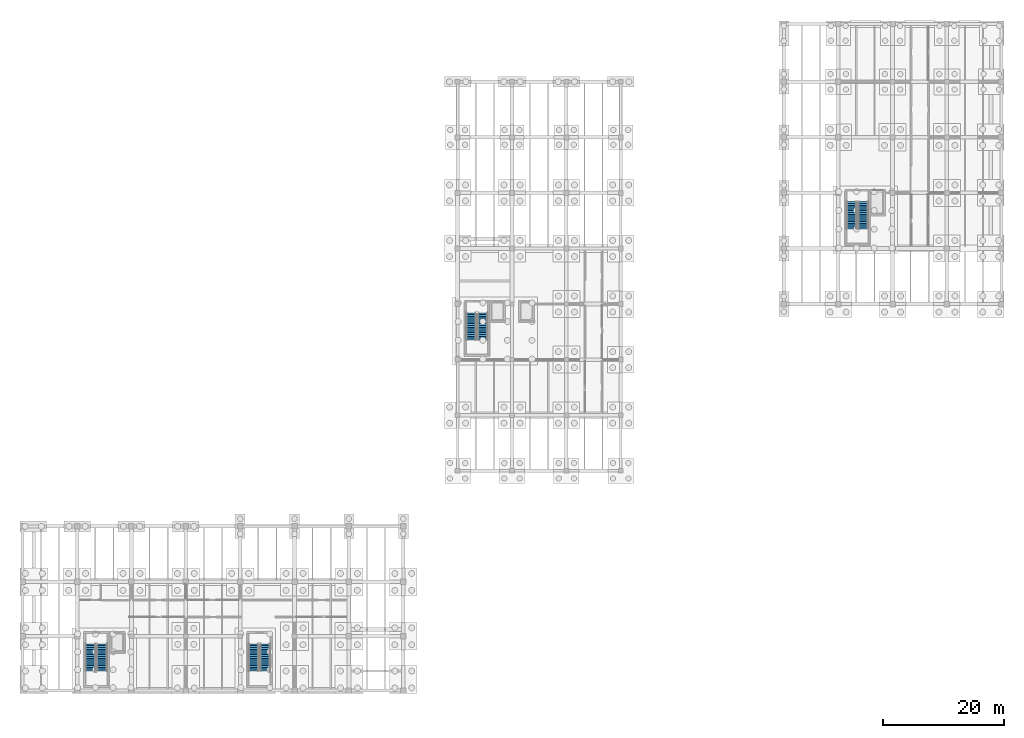
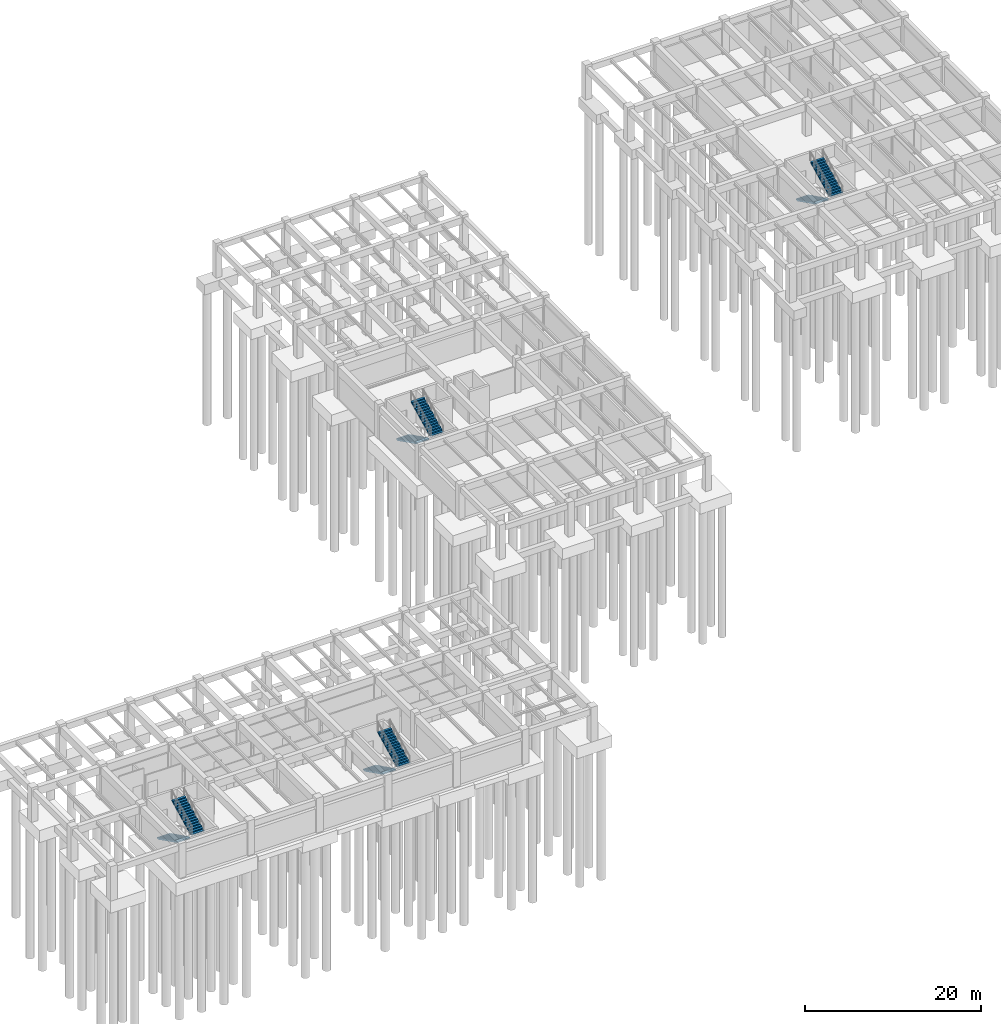
# One storey, part 12 of 16: 8 stair flights, 4 elements without a shape of their own.
"""IFC4 building model written with IfcOpenShell, lengths in metres."""

from ifc_helpers import new_model, si_unit, direction, frame, origin, place, context, subcontext, project, spatial, polyline, outline, extrude, material, type_object, element, aggregate, save


model = new_model("IFC4")

# Units and contexts
model_context = context("Model", 3, precision=1e-05, world=origin(), true_north=direction((0.0, 1.0)))
body_context = subcontext(model_context, "Body", "Model", "MODEL_VIEW")
ifc_project = project(units=[si_unit("LENGTHUNIT", "METRE"), si_unit("AREAUNIT", "SQUARE_METRE"), si_unit("VOLUMEUNIT", "CUBIC_METRE"), si_unit("PLANEANGLEUNIT", "RADIAN"), si_unit("MASSUNIT", "GRAM", prefix="KILO")], contexts=[model_context])

# Site, building, storey
site_placement = place(None, origin())
site = spatial("IfcSite", under=ifc_project, at=site_placement, CompositionType="ELEMENT")
building_placement = place(site_placement, origin())
building = spatial("IfcBuilding", under=site, at=building_placement, Name="Bozkorgan Art Gallery", CompositionType="ELEMENT")
storey_placement = place(building_placement, frame((0.0, 0.0, -4.800048828125)))
storey = spatial("IfcBuildingStorey", under=building, at=storey_placement, Name="B1", CompositionType="ELEMENT", Elevation=-4.800048828125)

# Stair, stair flights
ifc_material = material(Name="Concrete C35/45", Category="concrete")
stair_type_1 = type_object("IfcStairType", Name="STAIR-CORE1", PredefinedType="HALF_TURN_STAIR", material=ifc_material)
stair_1_placement = place(storey_placement, origin())
stair_1 = element("IfcStair", 1, at=stair_1_placement, inside=storey, type_object=stair_type_1, Name="B1 ST1 Core Stair", PredefinedType="HALF_TURN_STAIR")
stair_flight_type_1 = type_object("IfcStairFlightType", Name="SFLT-CORE1", PredefinedType="STRAIGHT", material=ifc_material)
stair_flight_1_placement = place(storey_placement, frame((13.25, 9.75, 0.0), z_axis=(0.0, 0.0, 1.0), x_axis=(0.0, -1.0, 0.0)))
stair_flight_1 = element("IfcStairFlight", 2, at=stair_flight_1_placement, type_object=stair_flight_type_1, Name="ST1 flight 1", NumberOfRisers=16, NumberOfTreads=15, PredefinedType="STRAIGHT", RiserHeight=0.15, TreadLength=0.3, context=body_context, shape_type="SweptSolid", body=[
    extrude(outline(polyline([(0.0, 0.0), (0.0, 0.14990234375), (0.300048828125, 0.14990234375), (0.300048828125, 0.300048828125), (0.60009765625, 0.300048828125), (0.60009765625, 0.449951171875), (0.89990234375, 0.449951171875), (0.89990234375, 0.60009765625), (1.199951171875, 0.60009765625), (1.199951171875, 0.75), (1.5, 0.75), (1.5, 0.89990234375), (1.800048828125, 0.89990234375), (1.800048828125, 1.050048828125), (2.10009765625, 1.050048828125), (2.10009765625, 1.199951171875), (2.39990234375, 1.199951171875), (2.39990234375, 1.35009765625), (2.699951171875, 1.35009765625), (2.699951171875, 1.5), (3.0, 1.5), (3.0, 1.64990234375), (3.300048828125, 1.64990234375), (3.300048828125, 1.800048828125), (3.60009765625, 1.800048828125), (3.60009765625, 1.949951171875), (3.89990234375, 1.949951171875), (3.89990234375, 2.10009765625), (4.199951171875, 2.10009765625), (4.199951171875, 2.25), (4.5, 2.25), (4.5, 2.39990234375), (4.5, 2.08251953125), (0.335205078125, 0.0), (0.0, 0.0)])), frame((0.0, 0.85009765625, 0.0), z_axis=(0.0, -1.0, 0.0), x_axis=(1.0, 0.0, 0.0)), (0.0, 0.0, 1.0), 1.699951171875),
])
stair_flight_2_placement = place(storey_placement, frame((15.14990234375, 5.25, 2.400146484375), z_axis=(0.0, 0.0, 1.0), x_axis=(0.0, 1.0, 0.0)))
stair_flight_2 = element("IfcStairFlight", 3, at=stair_flight_2_placement, type_object=stair_flight_type_1, Name="ST1 flight 2", NumberOfRisers=16, NumberOfTreads=15, PredefinedType="STRAIGHT", RiserHeight=0.15, TreadLength=0.3, context=body_context, shape_type="SweptSolid", body=[
    extrude(outline(polyline([(0.0, 0.0), (0.0, 0.14990234375), (0.300048828125, 0.14990234375), (0.300048828125, 0.300048828125), (0.60009765625, 0.300048828125), (0.60009765625, 0.449951171875), (0.89990234375, 0.449951171875), (0.89990234375, 0.60009765625), (1.199951171875, 0.60009765625), (1.199951171875, 0.75), (1.5, 0.75), (1.5, 0.89990234375), (1.800048828125, 0.89990234375), (1.800048828125, 1.050048828125), (2.10009765625, 1.050048828125), (2.10009765625, 1.199951171875), (2.39990234375, 1.199951171875), (2.39990234375, 1.35009765625), (2.699951171875, 1.35009765625), (2.699951171875, 1.5), (3.0, 1.5), (3.0, 1.64990234375), (3.300048828125, 1.64990234375), (3.300048828125, 1.800048828125), (3.60009765625, 1.800048828125), (3.60009765625, 1.949951171875), (3.89990234375, 1.949951171875), (3.89990234375, 2.10009765625), (4.199951171875, 2.10009765625), (4.199951171875, 2.25), (4.5, 2.25), (4.5, 2.39990234375), (4.5, 2.08251953125), (0.335205078125, 0.0), (0.0, 0.0)])), frame((0.0, 0.85009765625, 0.0), z_axis=(0.0, -1.0, 0.0), x_axis=(1.0, 0.0, 0.0)), (0.0, 0.0, 1.0), 1.699951171875),
])
aggregate(stair_1, [stair_flight_1, stair_flight_2])

stair_type_2 = type_object("IfcStairType", Name="STAIR-CORE2", PredefinedType="HALF_TURN_STAIR", material=ifc_material)
stair_2_placement = place(storey_placement, origin())
stair_2 = element("IfcStair", 4, at=stair_2_placement, inside=storey, type_object=stair_type_2, Name="B1 ST2 Core Stair", PredefinedType="HALF_TURN_STAIR")
stair_flight_type_2 = type_object("IfcStairFlightType", Name="SFLT-CORE2", PredefinedType="STRAIGHT", material=ifc_material)
stair_flight_3_placement = place(storey_placement, frame((76.25, 64.550048828125, 0.0), z_axis=(0.0, 0.0, 1.0), x_axis=(0.0, -1.0, 0.0)))
stair_flight_3 = element("IfcStairFlight", 5, at=stair_flight_3_placement, type_object=stair_flight_type_2, Name="ST2 flight 1", NumberOfRisers=16, NumberOfTreads=15, PredefinedType="STRAIGHT", RiserHeight=0.15, TreadLength=0.3, context=body_context, shape_type="SweptSolid", body=[
    extrude(outline(polyline([(0.0, 0.0), (0.0, 0.14990234375), (0.300048828125, 0.14990234375), (0.300048828125, 0.300048828125), (0.60009765625, 0.300048828125), (0.60009765625, 0.449951171875), (0.89990234375, 0.449951171875), (0.89990234375, 0.60009765625), (1.199951171875, 0.60009765625), (1.199951171875, 0.75), (1.5, 0.75), (1.5, 0.89990234375), (1.800048828125, 0.89990234375), (1.800048828125, 1.050048828125), (2.10009765625, 1.050048828125), (2.10009765625, 1.199951171875), (2.39990234375, 1.199951171875), (2.39990234375, 1.35009765625), (2.699951171875, 1.35009765625), (2.699951171875, 1.5), (3.0, 1.5), (3.0, 1.64990234375), (3.300048828125, 1.64990234375), (3.300048828125, 1.800048828125), (3.60009765625, 1.800048828125), (3.60009765625, 1.949951171875), (3.89990234375, 1.949951171875), (3.89990234375, 2.10009765625), (4.199951171875, 2.10009765625), (4.199951171875, 2.25), (4.5, 2.25), (4.5, 2.39990234375), (4.5, 2.08251953125), (0.335205078125, 0.0), (0.0, 0.0)])), frame((0.0, 0.85009765625, 0.0), z_axis=(0.0, -1.0, 0.0), x_axis=(1.0, 0.0, 0.0)), (0.0, 0.0, 1.0), 1.699951171875),
])
stair_flight_4_placement = place(storey_placement, frame((78.14990234375, 60.050048828125, 2.400146484375), z_axis=(0.0, 0.0, 1.0), x_axis=(0.0, 1.0, 0.0)))
stair_flight_4 = element("IfcStairFlight", 6, at=stair_flight_4_placement, type_object=stair_flight_type_2, Name="ST2 flight 2", NumberOfRisers=16, NumberOfTreads=15, PredefinedType="STRAIGHT", RiserHeight=0.15, TreadLength=0.3, context=body_context, shape_type="SweptSolid", body=[
    extrude(outline(polyline([(0.0, 0.0), (0.0, 0.14990234375), (0.300048828125, 0.14990234375), (0.300048828125, 0.300048828125), (0.60009765625, 0.300048828125), (0.60009765625, 0.449951171875), (0.89990234375, 0.449951171875), (0.89990234375, 0.60009765625), (1.199951171875, 0.60009765625), (1.199951171875, 0.75), (1.5, 0.75), (1.5, 0.89990234375), (1.800048828125, 0.89990234375), (1.800048828125, 1.050048828125), (2.10009765625, 1.050048828125), (2.10009765625, 1.199951171875), (2.39990234375, 1.199951171875), (2.39990234375, 1.35009765625), (2.699951171875, 1.35009765625), (2.699951171875, 1.5), (3.0, 1.5), (3.0, 1.64990234375), (3.300048828125, 1.64990234375), (3.300048828125, 1.800048828125), (3.60009765625, 1.800048828125), (3.60009765625, 1.949951171875), (3.89990234375, 1.949951171875), (3.89990234375, 2.10009765625), (4.199951171875, 2.10009765625), (4.199951171875, 2.25), (4.5, 2.25), (4.5, 2.39990234375), (4.5, 2.08251953125), (0.335205078125, 0.0), (0.0, 0.0)])), frame((0.0, 0.85009765625, 0.0), z_axis=(0.0, -1.0, 0.0), x_axis=(1.0, 0.0, 0.0)), (0.0, 0.0, 1.0), 1.699951171875),
])
aggregate(stair_2, [stair_flight_3, stair_flight_4])

stair_type_3 = type_object("IfcStairType", Name="STAIR-CORE3", PredefinedType="HALF_TURN_STAIR", material=ifc_material)
stair_3_placement = place(storey_placement, origin())
stair_3 = element("IfcStair", 7, at=stair_3_placement, inside=storey, type_object=stair_type_3, Name="B1 ST3 Core Stair", PredefinedType="HALF_TURN_STAIR")
stair_flight_type_3 = type_object("IfcStairFlightType", Name="SFLT-CORE3", PredefinedType="STRAIGHT", material=ifc_material)
stair_flight_5_placement = place(storey_placement, frame((139.25, 82.949951171875, 0.0), z_axis=(0.0, 0.0, 1.0), x_axis=(0.0, -1.0, 0.0)))
stair_flight_5 = element("IfcStairFlight", 8, at=stair_flight_5_placement, type_object=stair_flight_type_3, Name="ST3 flight 1", NumberOfRisers=16, NumberOfTreads=15, PredefinedType="STRAIGHT", RiserHeight=0.15, TreadLength=0.3, context=body_context, shape_type="SweptSolid", body=[
    extrude(outline(polyline([(0.0, 0.0), (0.0, 0.14990234375), (0.300048828125, 0.14990234375), (0.300048828125, 0.300048828125), (0.60009765625, 0.300048828125), (0.60009765625, 0.449951171875), (0.89990234375, 0.449951171875), (0.89990234375, 0.60009765625), (1.199951171875, 0.60009765625), (1.199951171875, 0.75), (1.5, 0.75), (1.5, 0.89990234375), (1.800048828125, 0.89990234375), (1.800048828125, 1.050048828125), (2.10009765625, 1.050048828125), (2.10009765625, 1.199951171875), (2.39990234375, 1.199951171875), (2.39990234375, 1.35009765625), (2.699951171875, 1.35009765625), (2.699951171875, 1.5), (3.0, 1.5), (3.0, 1.64990234375), (3.300048828125, 1.64990234375), (3.300048828125, 1.800048828125), (3.60009765625, 1.800048828125), (3.60009765625, 1.949951171875), (3.89990234375, 1.949951171875), (3.89990234375, 2.10009765625), (4.199951171875, 2.10009765625), (4.199951171875, 2.25), (4.5, 2.25), (4.5, 2.39990234375), (4.5, 2.08251953125), (0.335205078125, 0.0), (0.0, 0.0)])), frame((0.0, 0.85009765625, 0.0), z_axis=(0.0, -1.0, 0.0), x_axis=(1.0, 0.0, 0.0)), (0.0, 0.0, 1.0), 1.699951171875),
])
stair_flight_6_placement = place(storey_placement, frame((141.14990234375, 78.449951171875, 2.400146484375), z_axis=(0.0, 0.0, 1.0), x_axis=(0.0, 1.0, 0.0)))
stair_flight_6 = element("IfcStairFlight", 9, at=stair_flight_6_placement, type_object=stair_flight_type_3, Name="ST3 flight 2", NumberOfRisers=16, NumberOfTreads=15, PredefinedType="STRAIGHT", RiserHeight=0.15, TreadLength=0.3, context=body_context, shape_type="SweptSolid", body=[
    extrude(outline(polyline([(0.0, 0.0), (0.0, 0.14990234375), (0.300048828125, 0.14990234375), (0.300048828125, 0.300048828125), (0.60009765625, 0.300048828125), (0.60009765625, 0.449951171875), (0.89990234375, 0.449951171875), (0.89990234375, 0.60009765625), (1.199951171875, 0.60009765625), (1.199951171875, 0.75), (1.5, 0.75), (1.5, 0.89990234375), (1.800048828125, 0.89990234375), (1.800048828125, 1.050048828125), (2.10009765625, 1.050048828125), (2.10009765625, 1.199951171875), (2.39990234375, 1.199951171875), (2.39990234375, 1.35009765625), (2.699951171875, 1.35009765625), (2.699951171875, 1.5), (3.0, 1.5), (3.0, 1.64990234375), (3.300048828125, 1.64990234375), (3.300048828125, 1.800048828125), (3.60009765625, 1.800048828125), (3.60009765625, 1.949951171875), (3.89990234375, 1.949951171875), (3.89990234375, 2.10009765625), (4.199951171875, 2.10009765625), (4.199951171875, 2.25), (4.5, 2.25), (4.5, 2.39990234375), (4.5, 2.08251953125), (0.335205078125, 0.0), (0.0, 0.0)])), frame((0.0, 0.85009765625, 0.0), z_axis=(0.0, -1.0, 0.0), x_axis=(1.0, 0.0, 0.0)), (0.0, 0.0, 1.0), 1.699951171875),
])
aggregate(stair_3, [stair_flight_5, stair_flight_6])

stair_type_4 = type_object("IfcStairType", Name="STAIR-CORE7", PredefinedType="HALF_TURN_STAIR", material=ifc_material)
stair_4_placement = place(storey_placement, origin())
stair_4 = element("IfcStair", 10, at=stair_4_placement, inside=storey, type_object=stair_type_4, Name="B1 ST12 Core Stair", PredefinedType="HALF_TURN_STAIR")
stair_flight_type_4 = type_object("IfcStairFlightType", Name="SFLT-CORE7", PredefinedType="STRAIGHT", material=ifc_material)
stair_flight_7_placement = place(storey_placement, frame((40.25, 9.75, 0.0), z_axis=(0.0, 0.0, 1.0), x_axis=(0.0, -1.0, 0.0)))
stair_flight_7 = element("IfcStairFlight", 11, at=stair_flight_7_placement, type_object=stair_flight_type_4, Name="ST12 flight 1", NumberOfRisers=16, NumberOfTreads=15, PredefinedType="STRAIGHT", RiserHeight=0.15, TreadLength=0.3, context=body_context, shape_type="SweptSolid", body=[
    extrude(outline(polyline([(0.0, 0.0), (0.0, 0.14990234375), (0.300048828125, 0.14990234375), (0.300048828125, 0.300048828125), (0.60009765625, 0.300048828125), (0.60009765625, 0.449951171875), (0.89990234375, 0.449951171875), (0.89990234375, 0.60009765625), (1.199951171875, 0.60009765625), (1.199951171875, 0.75), (1.5, 0.75), (1.5, 0.89990234375), (1.800048828125, 0.89990234375), (1.800048828125, 1.050048828125), (2.10009765625, 1.050048828125), (2.10009765625, 1.199951171875), (2.39990234375, 1.199951171875), (2.39990234375, 1.35009765625), (2.699951171875, 1.35009765625), (2.699951171875, 1.5), (3.0, 1.5), (3.0, 1.64990234375), (3.300048828125, 1.64990234375), (3.300048828125, 1.800048828125), (3.60009765625, 1.800048828125), (3.60009765625, 1.949951171875), (3.89990234375, 1.949951171875), (3.89990234375, 2.10009765625), (4.199951171875, 2.10009765625), (4.199951171875, 2.25), (4.5, 2.25), (4.5, 2.39990234375), (4.5, 2.08251953125), (0.335205078125, 0.0), (0.0, 0.0)])), frame((0.0, 0.85009765625, 0.0), z_axis=(0.0, -1.0, 0.0), x_axis=(1.0, 0.0, 0.0)), (0.0, 0.0, 1.0), 1.699951171875),
])
stair_flight_8_placement = place(storey_placement, frame((42.14990234375, 5.25, 2.400146484375), z_axis=(0.0, 0.0, 1.0), x_axis=(0.0, 1.0, 0.0)))
stair_flight_8 = element("IfcStairFlight", 12, at=stair_flight_8_placement, type_object=stair_flight_type_4, Name="ST12 flight 2", NumberOfRisers=16, NumberOfTreads=15, PredefinedType="STRAIGHT", RiserHeight=0.15, TreadLength=0.3, context=body_context, shape_type="SweptSolid", body=[
    extrude(outline(polyline([(0.0, 0.0), (0.0, 0.14990234375), (0.300048828125, 0.14990234375), (0.300048828125, 0.300048828125), (0.60009765625, 0.300048828125), (0.60009765625, 0.449951171875), (0.89990234375, 0.449951171875), (0.89990234375, 0.60009765625), (1.199951171875, 0.60009765625), (1.199951171875, 0.75), (1.5, 0.75), (1.5, 0.89990234375), (1.800048828125, 0.89990234375), (1.800048828125, 1.050048828125), (2.10009765625, 1.050048828125), (2.10009765625, 1.199951171875), (2.39990234375, 1.199951171875), (2.39990234375, 1.35009765625), (2.699951171875, 1.35009765625), (2.699951171875, 1.5), (3.0, 1.5), (3.0, 1.64990234375), (3.300048828125, 1.64990234375), (3.300048828125, 1.800048828125), (3.60009765625, 1.800048828125), (3.60009765625, 1.949951171875), (3.89990234375, 1.949951171875), (3.89990234375, 2.10009765625), (4.199951171875, 2.10009765625), (4.199951171875, 2.25), (4.5, 2.25), (4.5, 2.39990234375), (4.5, 2.08251953125), (0.335205078125, 0.0), (0.0, 0.0)])), frame((0.0, 0.85009765625, 0.0), z_axis=(0.0, -1.0, 0.0), x_axis=(1.0, 0.0, 0.0)), (0.0, 0.0, 1.0), 1.699951171875),
])
aggregate(stair_4, [stair_flight_7, stair_flight_8])

save(model, "model.ifc")
